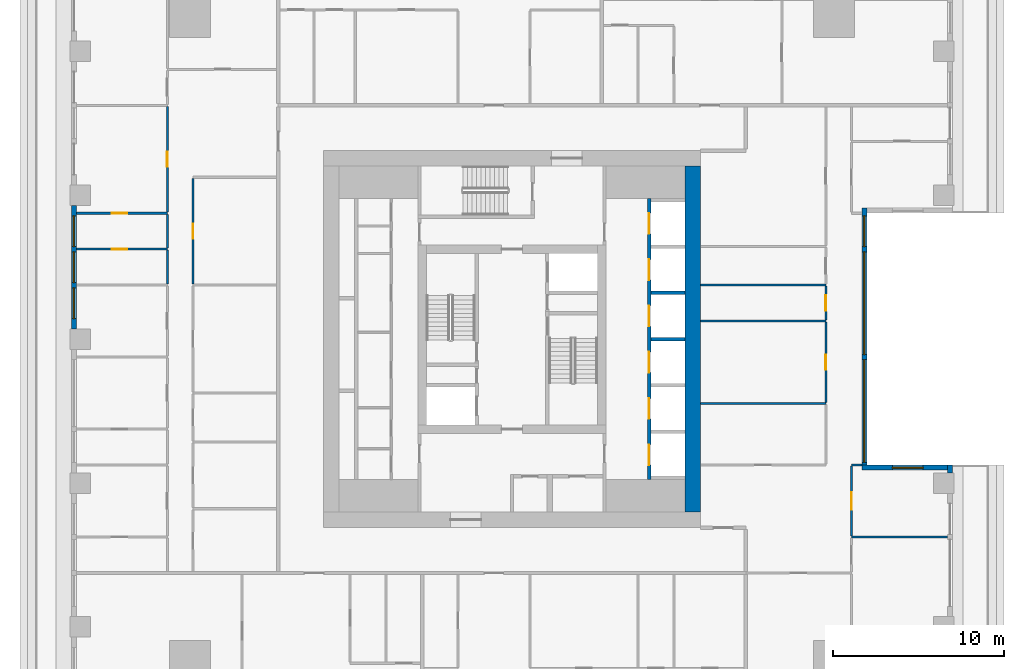
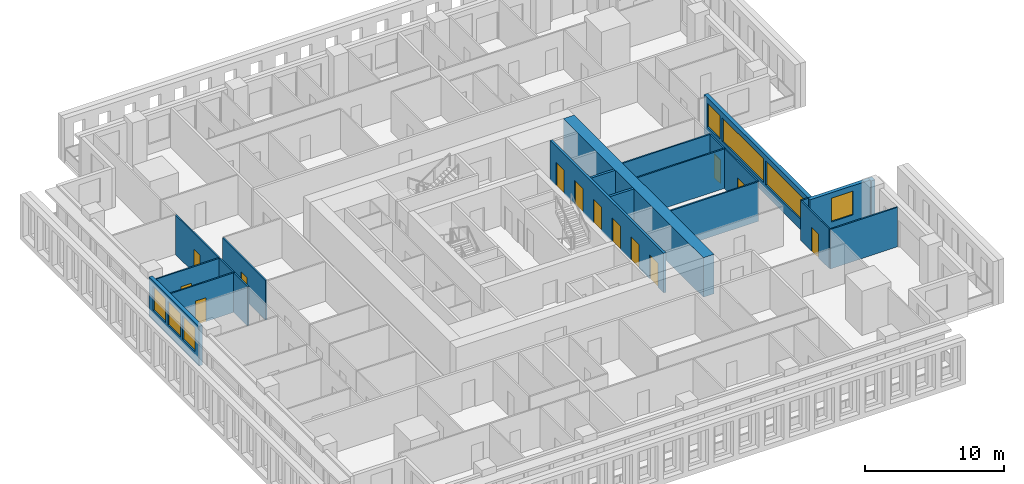
# One storey, part 6 of 16: 22 walls, 13 doors, 7 windows, 20 openings.
"""IFC4 building model written with IfcOpenShell, lengths in metres."""

import ifcopenshell
import ifcopenshell.guid

model = None  # the IFC model being written
_history = None  # IfcOwnerHistory: only IFC2X3 demands one
_inside = {}  # id of a spatial element -> (the spatial element, [elements in it])
_under = {}  # id of a project, library or spatial element -> (it, [spatial elements below it])
_declared = {}  # id of a project -> (the project, [libraries it declares])
_typed = {}  # id of a type object -> (the type object, [elements of that type])
_made_of = {}  # id of a material, layer set ... -> (it, [elements and type objects made of it])


def new_model(schema):
    """Start an empty IFC model of exactly this schema.

    Asked for "IFC4X3", IfcOpenShell would pick the latest addendum, in which some entities
    have other attributes; the version numbers below select the first issue.
    IFC2X3 requires an IfcOwnerHistory on every rooted entity: one is made here for all.
    """
    global model, _history
    if schema == "IFC4X3":
        model = ifcopenshell.file(schema_version=(4, 3, 0, 0))
    else:
        model = ifcopenshell.file(schema=schema)
    _inside.clear()
    _under.clear()
    _declared.clear()
    _typed.clear()
    _made_of.clear()
    _history = None
    if model.schema == "IFC2X3":
        org = make("IfcOrganization", Name="unknown")
        user = make(
            "IfcPersonAndOrganization",
            ThePerson=make("IfcPerson", FamilyName="unknown"),
            TheOrganization=org,
        )
        app = make(
            "IfcApplication",
            ApplicationDeveloper=org,
            Version="unknown",
            ApplicationFullName="unknown",
            ApplicationIdentifier="unknown",
        )
        _history = make(
            "IfcOwnerHistory",
            OwningUser=user,
            OwningApplication=app,
            ChangeAction="ADDED",
            CreationDate=0,
        )
    return model


def make(cls, **values):
    """One entity of the class cls with the attributes given. An attribute that is None is left unset."""
    return model.create_entity(
        cls, **{name: value for name, value in values.items() if value is not None}
    )


def rooted(cls, **values):
    """An entity with a GlobalId (a new one), such as an element, a storey or a relation."""
    return make(cls, GlobalId=ifcopenshell.guid.new(), OwnerHistory=_history, **values)


def si_unit(unit_type, name, prefix=None):
    """IfcSIUnit, for example si_unit("LENGTHUNIT", "METRE", prefix="MILLI")."""
    return make("IfcSIUnit", UnitType=unit_type, Prefix=prefix, Name=name)


def assignment(units):
    """IfcUnitAssignment: the units of a project."""
    return None if units is None else make("IfcUnitAssignment", Units=units)


def point(xyz):
    """IfcCartesianPoint."""
    return None if xyz is None else make("IfcCartesianPoint", Coordinates=xyz)


def direction(xyz):
    """IfcDirection."""
    return None if xyz is None else make("IfcDirection", DirectionRatios=xyz)


def frame(location, z_axis=None, x_axis=None):
    """IfcAxis2Placement3D, a coordinate frame: its origin and axes. An axis left out is left unset."""
    return make(
        "IfcAxis2Placement3D",
        Location=point(location),
        Axis=direction(z_axis),
        RefDirection=direction(x_axis),
    )


def frame_2d(location, x_axis=None):
    """IfcAxis2Placement2D, a coordinate frame in the plane: its origin and x axis."""
    return make(
        "IfcAxis2Placement2D", Location=point(location), RefDirection=direction(x_axis)
    )


def origin():
    """The frame at (0, 0, 0) with its axes left unset."""
    return frame((0.0, 0.0, 0.0))


def place(relative_to, where):
    """IfcLocalPlacement: puts the frame where relative to a parent placement (None: the world)."""
    return make(
        "IfcLocalPlacement", PlacementRelTo=relative_to, RelativePlacement=where
    )


def context(
    kind, dimensions, precision=None, world=None, true_north=None, identifier=None
):
    """IfcGeometricRepresentationContext, for example the 3D "Model" context."""
    return make(
        "IfcGeometricRepresentationContext",
        ContextIdentifier=identifier,
        ContextType=kind,
        CoordinateSpaceDimension=dimensions,
        Precision=precision,
        WorldCoordinateSystem=world,
        TrueNorth=true_north,
    )


def subcontext(parent, identifier, kind, view, scale=None):
    """IfcGeometricRepresentationSubContext, for example "Body" below "Model"."""
    return make(
        "IfcGeometricRepresentationSubContext",
        ContextIdentifier=identifier,
        ContextType=kind,
        ParentContext=parent,
        TargetScale=scale,
        TargetView=view,
    )


def project(units=None, contexts=None):
    """IfcProject with its units and contexts."""
    return rooted(
        "IfcProject",
        Name="project",
        RepresentationContexts=contexts,
        UnitsInContext=assignment(units),
    )


def spatial(cls, under=None, at=None, **own):
    """A site, building, storey or space (cls), placed at a placement, below another one or the project."""
    s = rooted(cls, ObjectPlacement=at, **own)
    if under is not None:
        _under.setdefault(under.id(), (under, []))[1].append(s)
    return s


def profile(cls, at=None, kind="AREA", **sizes):
    """A parametric profile (cls). Its sizes go by their IFC names, for example OverallWidth=200.0."""
    return make(cls, ProfileType=kind, Position=at, **sizes)


def rectangle(**sizes):
    """IfcRectangleProfileDef."""
    return profile("IfcRectangleProfileDef", **sizes)


def extrude(swept, where, along, depth):
    """IfcExtrudedAreaSolid: the profile swept, set in the frame where, extruded along a direction by depth."""
    return make(
        "IfcExtrudedAreaSolid",
        SweptArea=swept,
        Position=where,
        ExtrudedDirection=direction(along),
        Depth=depth,
    )


def shape(context_of_items, identifier, shape_type, items):
    """IfcShapeRepresentation: the items that make up one representation, for example the "Body"."""
    return make(
        "IfcShapeRepresentation",
        ContextOfItems=context_of_items,
        RepresentationIdentifier=identifier,
        RepresentationType=shape_type,
        Items=items,
    )


def material(Name=None, Category=None):
    """IfcMaterial."""
    return make("IfcMaterial", Name=Name, Category=Category)


def layer(
    of_material, thickness, ventilated=None, Name=None, Category=None, Priority=None
):
    """IfcMaterialLayer: one layer of a wall or slab, of a material (None: an air gap)."""
    return make(
        "IfcMaterialLayer",
        Material=of_material,
        LayerThickness=thickness,
        IsVentilated=ventilated,
        Name=Name,
        Category=Category,
        Priority=Priority,
    )


def layer_set(layers, Name=None):
    """IfcMaterialLayerSet."""
    return make("IfcMaterialLayerSet", MaterialLayers=layers, LayerSetName=Name)


def made_of(thing, what):
    """Note that an element or type object is made of a material, layer set ...; save() writes the relation."""
    if what is not None:
        _made_of.setdefault(what.id(), (what, []))[1].append(thing)
    return thing


def type_object(cls, material=None, **own):
    """A type object (cls), such as IfcWallType, which elements share."""
    return made_of(rooted(cls, **own), material)


def element(
    cls,
    number,
    at=None,
    inside=None,
    cuts=None,
    type_object=None,
    material=None,
    context=None,
    identifier="Body",
    shape_type=None,
    held_by="IfcProductDefinitionShape",
    body=None,
    shapes=None,
    **own,
):
    """One element of the class cls, such as IfcWall. Its Tag is "e" and its number.

    at: its placement. inside: the storey or other place that contains it. cuts: it is an
    opening in that element (IfcRelVoidsElement). A single representation is given by context,
    identifier, shape_type and body (its items); several are given by shapes. held_by: the class
    of the entity that holds the representations. save() writes the other relations.
    """
    e = rooted(cls, Tag="e%d" % number, ObjectPlacement=at, **own)
    if body is not None:
        shapes = [shape(context, identifier, shape_type, body)]
    if shapes is not None:
        e.Representation = make(held_by, Representations=shapes)
    if inside is not None:
        _inside.setdefault(inside.id(), (inside, []))[1].append(e)
    if cuts is not None:
        rooted(
            "IfcRelVoidsElement", RelatingBuildingElement=cuts, RelatedOpeningElement=e
        )
    if type_object is not None:
        _typed.setdefault(type_object.id(), (type_object, []))[1].append(e)
    return made_of(e, material)


def fill(opening, filler):
    """IfcRelFillsElement: the door or window that sits in an opening."""
    return rooted(
        "IfcRelFillsElement",
        RelatingOpeningElement=opening,
        RelatedBuildingElement=filler,
    )


def aggregate(whole, parts):
    """IfcRelAggregates: a whole, such as a stair, and the parts it consists of."""
    return rooted("IfcRelAggregates", RelatingObject=whole, RelatedObjects=parts)


def save(model, path):
    """Write the relations noted so far, then the file.

    IfcRelAggregates (storeys below a building ...), IfcRelContainedInSpatialStructure (elements
    in a storey), IfcRelDefinesByType, IfcRelAssociatesMaterial and IfcRelDeclares: one each for
    every whole, place, type object, material and project.
    """
    for whole, parts in _under.values():
        aggregate(whole, parts)
    for where, things in _inside.values():
        rooted(
            "IfcRelContainedInSpatialStructure",
            RelatedElements=things,
            RelatingStructure=where,
        )
    for kind, things in _typed.values():
        rooted("IfcRelDefinesByType", RelatedObjects=things, RelatingType=kind)
    for what, things in _made_of.values():
        rooted("IfcRelAssociatesMaterial", RelatedObjects=things, RelatingMaterial=what)
    for by, libraries in _declared.values():
        rooted("IfcRelDeclares", RelatingContext=by, RelatedDefinitions=libraries)
    model.write(path)


model = new_model("IFC4")

# Units and contexts
model_context = context("Model", 3, precision=1e-05, world=origin(), true_north=direction((0.0, 1.0)))
body_context = subcontext(model_context, "Body", "Model", "MODEL_VIEW")
ifc_project = project(units=[si_unit("LENGTHUNIT", "METRE"), si_unit("AREAUNIT", "SQUARE_METRE"), si_unit("VOLUMEUNIT", "CUBIC_METRE"), si_unit("PLANEANGLEUNIT", "RADIAN"), si_unit("MASSUNIT", "GRAM", prefix="KILO")], contexts=[model_context])

# Site, building, storey
site_placement = place(None, origin())
site = spatial("IfcSite", under=ifc_project, at=site_placement, CompositionType="ELEMENT")
building_placement = place(site_placement, origin())
building = spatial("IfcBuilding", under=site, at=building_placement, Name="Khepri Terraces", CompositionType="ELEMENT")
storey_placement = place(building_placement, frame((0.0, 0.0, 207.89990234375)))
storey = spatial("IfcBuildingStorey", under=building, at=storey_placement, Name="L49", CompositionType="ELEMENT", Elevation=207.89990234375)

# Wall, openings, doors
ifc_material_1 = material(Name="Concrete C50/60", Category="concrete")
ifc_layer_1 = layer(ifc_material_1, 0.199951171875, Name="Concrete C50/60", Category="concrete")
ifc_layer_set_1 = layer_set([ifc_layer_1], Name="Concrete C50/60")
wall_type_1 = type_object("IfcWallType", Name="Core wall 200 C50/60", PredefinedType="SHEAR", material=ifc_layer_set_1)
wall_1_placement = place(storey_placement, frame((8.0, -8.199951171875, 0.0), z_axis=(0.0, 0.0, 1.0), x_axis=(0.0, 1.0, 0.0)))
wall_1 = element("IfcWall", 1, at=wall_1_placement, inside=storey, type_object=wall_type_1, Name="Core wall SH02 L49", PredefinedType="SHEAR", context=body_context, shape_type="SweptSolid", body=[
    extrude(rectangle(XDim=16.39990234375, YDim=0.199951171875, at=frame_2d((8.199951171875, 0.0))), origin(), (0.0, 0.0, 1.0), 3.47998046875),
])
opening_1_placement = place(wall_1_placement, frame((0.85009765625, 0.0, 0.0)))
opening_1 = element("IfcOpeningElement", 2, at=opening_1_placement, cuts=wall_1, Name="Opening L49-C01", PredefinedType="OPENING", context=body_context, shape_type="SweptSolid", body=[
    extrude(rectangle(XDim=1.199951171875, YDim=2.10009765625, at=frame_2d((0.60009765625, 1.050048828125))), frame((0.0, 0.10986328125, 0.0), z_axis=(0.0, -1.0, 0.0), x_axis=(1.0, 0.0, 0.0)), (0.0, 0.0, 1.0), 0.219970703125),
])
opening_2_placement = place(wall_1_placement, frame((3.550048828125, 0.0, 0.0)))
opening_2 = element("IfcOpeningElement", 3, at=opening_2_placement, cuts=wall_1, Name="Opening L49-C02", PredefinedType="OPENING", context=body_context, shape_type="SweptSolid", body=[
    extrude(rectangle(XDim=1.199951171875, YDim=2.10009765625, at=frame_2d((0.60009765625, 1.050048828125))), frame((0.0, 0.10986328125, 0.0), z_axis=(0.0, -1.0, 0.0), x_axis=(1.0, 0.0, 0.0)), (0.0, 0.0, 1.0), 0.219970703125),
])
opening_3_placement = place(wall_1_placement, frame((6.25, 0.0, 0.0)))
opening_3 = element("IfcOpeningElement", 4, at=opening_3_placement, cuts=wall_1, Name="Opening L49-C03", PredefinedType="OPENING", context=body_context, shape_type="SweptSolid", body=[
    extrude(rectangle(XDim=1.199951171875, YDim=2.10009765625, at=frame_2d((0.60009765625, 1.050048828125))), frame((0.0, 0.10986328125, 0.0), z_axis=(0.0, -1.0, 0.0), x_axis=(1.0, 0.0, 0.0)), (0.0, 0.0, 1.0), 0.219970703125),
])
opening_4_placement = place(wall_1_placement, frame((8.949951171875, 0.0, 0.0)))
opening_4 = element("IfcOpeningElement", 5, at=opening_4_placement, cuts=wall_1, Name="Opening L49-C04", PredefinedType="OPENING", context=body_context, shape_type="SweptSolid", body=[
    extrude(rectangle(XDim=1.199951171875, YDim=2.10009765625, at=frame_2d((0.60009765625, 1.050048828125))), frame((0.0, 0.10986328125, 0.0), z_axis=(0.0, -1.0, 0.0), x_axis=(1.0, 0.0, 0.0)), (0.0, 0.0, 1.0), 0.219970703125),
])
opening_5_placement = place(wall_1_placement, frame((11.64990234375, 0.0, 0.0)))
opening_5 = element("IfcOpeningElement", 6, at=opening_5_placement, cuts=wall_1, Name="Opening L49-C05", PredefinedType="OPENING", context=body_context, shape_type="SweptSolid", body=[
    extrude(rectangle(XDim=1.199951171875, YDim=2.10009765625, at=frame_2d((0.60009765625, 1.050048828125))), frame((0.0, 0.10986328125, 0.0), z_axis=(0.0, -1.0, 0.0), x_axis=(1.0, 0.0, 0.0)), (0.0, 0.0, 1.0), 0.219970703125),
])
opening_6_placement = place(wall_1_placement, frame((14.35009765625, 0.0, 0.0)))
opening_6 = element("IfcOpeningElement", 7, at=opening_6_placement, cuts=wall_1, Name="Opening L49-C06", PredefinedType="OPENING", context=body_context, shape_type="SweptSolid", body=[
    extrude(rectangle(XDim=1.199951171875, YDim=2.10009765625, at=frame_2d((0.60009765625, 1.050048828125))), frame((0.0, 0.10986328125, 0.0), z_axis=(0.0, -1.0, 0.0), x_axis=(1.0, 0.0, 0.0)), (0.0, 0.0, 1.0), 0.219970703125),
])
ifc_material_2 = material(Name="Stainless steel 304", Category="steel")
door_type_1 = type_object("IfcDoorType", Name="DR-CORE-LANDING-1200", OperationType="NOTDEFINED", PredefinedType="DOOR", material=ifc_material_2)
door_1_placement = place(opening_1_placement, origin())
door_1 = element("IfcDoor", 8, at=door_1_placement, inside=storey, type_object=door_type_1, Name="Lift landing door L49-C01", OperationType="SLIDING_TO_LEFT", OverallHeight=2.10009765625, OverallWidth=1.199951171875, PredefinedType="DOOR", context=body_context, shape_type="SweptSolid", body=[
    extrude(rectangle(XDim=1.199951171875, YDim=2.10009765625, at=frame_2d((0.60009765625, 1.050048828125))), frame((0.0, 0.02490234375, 0.0), z_axis=(0.0, -1.0, 0.0), x_axis=(1.0, 0.0, 0.0)), (0.0, 0.0, 1.0), 0.050048828125),
])
fill(opening_1, door_1)
door_2_placement = place(opening_2_placement, origin())
door_2 = element("IfcDoor", 9, at=door_2_placement, inside=storey, type_object=door_type_1, Name="Lift landing door L49-C02", OperationType="SLIDING_TO_LEFT", OverallHeight=2.10009765625, OverallWidth=1.199951171875, PredefinedType="DOOR", context=body_context, shape_type="SweptSolid", body=[
    extrude(rectangle(XDim=1.199951171875, YDim=2.10009765625, at=frame_2d((0.60009765625, 1.050048828125))), frame((0.0, 0.02490234375, 0.0), z_axis=(0.0, -1.0, 0.0), x_axis=(1.0, 0.0, 0.0)), (0.0, 0.0, 1.0), 0.050048828125),
])
fill(opening_2, door_2)
door_3_placement = place(opening_3_placement, origin())
door_3 = element("IfcDoor", 10, at=door_3_placement, inside=storey, type_object=door_type_1, Name="Lift landing door L49-C03", OperationType="SLIDING_TO_LEFT", OverallHeight=2.10009765625, OverallWidth=1.199951171875, PredefinedType="DOOR", context=body_context, shape_type="SweptSolid", body=[
    extrude(rectangle(XDim=1.199951171875, YDim=2.10009765625, at=frame_2d((0.60009765625, 1.050048828125))), frame((0.0, 0.02490234375, 0.0), z_axis=(0.0, -1.0, 0.0), x_axis=(1.0, 0.0, 0.0)), (0.0, 0.0, 1.0), 0.050048828125),
])
fill(opening_3, door_3)
door_4_placement = place(opening_4_placement, origin())
door_4 = element("IfcDoor", 11, at=door_4_placement, inside=storey, type_object=door_type_1, Name="Lift landing door L49-C04", OperationType="SLIDING_TO_LEFT", OverallHeight=2.10009765625, OverallWidth=1.199951171875, PredefinedType="DOOR", context=body_context, shape_type="SweptSolid", body=[
    extrude(rectangle(XDim=1.199951171875, YDim=2.10009765625, at=frame_2d((0.60009765625, 1.050048828125))), frame((0.0, 0.02490234375, 0.0), z_axis=(0.0, -1.0, 0.0), x_axis=(1.0, 0.0, 0.0)), (0.0, 0.0, 1.0), 0.050048828125),
])
fill(opening_4, door_4)
door_5_placement = place(opening_5_placement, origin())
door_5 = element("IfcDoor", 12, at=door_5_placement, inside=storey, type_object=door_type_1, Name="Lift landing door L49-C05", OperationType="SLIDING_TO_LEFT", OverallHeight=2.10009765625, OverallWidth=1.199951171875, PredefinedType="DOOR", context=body_context, shape_type="SweptSolid", body=[
    extrude(rectangle(XDim=1.199951171875, YDim=2.10009765625, at=frame_2d((0.60009765625, 1.050048828125))), frame((0.0, 0.02490234375, 0.0), z_axis=(0.0, -1.0, 0.0), x_axis=(1.0, 0.0, 0.0)), (0.0, 0.0, 1.0), 0.050048828125),
])
fill(opening_5, door_5)
door_6_placement = place(opening_6_placement, origin())
door_6 = element("IfcDoor", 13, at=door_6_placement, inside=storey, type_object=door_type_1, Name="Lift landing door L49-C06", OperationType="SLIDING_TO_LEFT", OverallHeight=2.10009765625, OverallWidth=1.199951171875, PredefinedType="DOOR", context=body_context, shape_type="SweptSolid", body=[
    extrude(rectangle(XDim=1.199951171875, YDim=2.10009765625, at=frame_2d((0.60009765625, 1.050048828125))), frame((0.0, 0.02490234375, 0.0), z_axis=(0.0, -1.0, 0.0), x_axis=(1.0, 0.0, 0.0)), (0.0, 0.0, 1.0), 0.050048828125),
])
fill(opening_6, door_6)

# Walls
for number, where, z_axis, x_axis, name in (
    (14, (8.10009765625, 0.0, 0.0), (0.0, 0.0, 1.0), (1.0, 0.0, 0.0), "Core wall SH09 L49"),
    (15, (8.10009765625, 2.699951171875, 0.0), (0.0, 0.0, 1.0), (1.0, 0.0, 0.0), "Core wall SH13 L49"),
):
    element("IfcWall", number, at=place(storey_placement, frame(where, z_axis=z_axis, x_axis=x_axis)), inside=storey, type_object=wall_type_1, Name=name, PredefinedType="SHEAR", context=body_context, shape_type="SweptSolid", body=[
        extrude(rectangle(XDim=2.0, YDim=0.199951171875, at=frame_2d((1.0, 0.0))), origin(), (0.0, 0.0, 1.0), 3.47998046875),
    ])
ifc_layer_2 = layer(ifc_material_1, 0.89990234375, Name="Concrete C50/60", Category="concrete")
ifc_layer_set_2 = layer_set([ifc_layer_2], Name="Concrete C50/60")
wall_type_2 = type_object("IfcWallType", Name="Core wall 900 C50/60", PredefinedType="SHEAR", material=ifc_layer_set_2)
wall_2_placement = place(storey_placement, frame((10.550048828125, -10.10009765625, 0.0), z_axis=(0.0, 0.0, 1.0), x_axis=(0.0, 1.0, 0.0)))
element("IfcWall", 16, at=wall_2_placement, inside=storey, type_object=wall_type_2, Name="Core wall OW-E L49", PredefinedType="SHEAR", context=body_context, shape_type="SweptSolid", body=[
    extrude(rectangle(XDim=20.2001953125, YDim=0.89990234375, at=frame_2d((10.10009765625, 0.0))), origin(), (0.0, 0.0, 1.0), 3.47998046875),
])
ifc_material_3 = material(Name="Precast concrete C50/60 warm stone", Category="masonry")
ifc_layer_3 = layer(ifc_material_3, 0.300048828125, Name="Precast concrete C50/60 warm stone", Category="masonry")
ifc_layer_set_3 = layer_set([ifc_layer_3], Name="Precast concrete C50/60 warm stone")
wall_type_3 = type_object("IfcWallType", Name="WL-EXT-PRECAST-300", PredefinedType="STANDARD", material=ifc_layer_set_3)
wall_3_placement = place(storey_placement, frame((25.570068359375, -7.800048828125, 0.0), z_axis=(0.0, 0.0, 1.0), x_axis=(0.0, 1.0, 0.0)))
element("IfcWall", 17, at=wall_3_placement, inside=storey, type_object=wall_type_3, Name="External wall L49 E", PredefinedType="STANDARD", context=body_context, shape_type="SweptSolid", body=[
    extrude(rectangle(XDim=0.449951171875, YDim=0.300048828125, at=frame_2d((0.22509765625, 0.0))), origin(), (0.0, 0.0, 1.0), 3.47998046875),
])

# Wall, opening, window
wall_4_placement = place(storey_placement, frame((25.419921875, -7.5, 0.0), z_axis=(0.0, 0.0, 1.0), x_axis=(-1.0, 0.0, 0.0)))
wall_4 = element("IfcWall", 18, at=wall_4_placement, inside=storey, type_object=wall_type_3, Name="External wall L49 N", PredefinedType="STANDARD", context=body_context, shape_type="SweptSolid", body=[
    extrude(rectangle(XDim=5.0, YDim=0.300048828125, at=frame_2d((2.5, 0.0))), origin(), (0.0, 0.0, 1.0), 3.47998046875),
])
opening_7_placement = place(wall_4_placement, frame((1.419921875, 0.0, 0.89990234375)))
opening_7 = element("IfcOpeningElement", 19, at=opening_7_placement, cuts=wall_4, Name="Opening W1", PredefinedType="OPENING", context=body_context, shape_type="SweptSolid", body=[
    extrude(rectangle(XDim=1.800048828125, YDim=2.10009765625, at=frame_2d((0.89990234375, 1.050048828125))), frame((0.0, 0.16015625, 0.0), z_axis=(0.0, -1.0, 0.0), x_axis=(1.0, 0.0, 0.0)), (0.0, 0.0, 1.0), 0.320068359375),
])
ifc_material_4 = material(Name="Clear glass", Category="glass")
window_type_1 = type_object("IfcWindowType", Name="WIN-RES-1800x2100", PartitioningType="SINGLE_PANEL", PredefinedType="WINDOW", material=ifc_material_4)
window_1_placement = place(opening_7_placement, origin())
window_1 = element("IfcWindow", 20, at=window_1_placement, inside=storey, type_object=window_type_1, Name="Window L49 N", OverallHeight=2.10009765625, OverallWidth=1.800048828125, PartitioningType="SINGLE_PANEL", PredefinedType="WINDOW", context=body_context, shape_type="SweptSolid", body=[
    extrude(rectangle(XDim=1.800048828125, YDim=2.10009765625, at=frame_2d((0.89990234375, 1.050048828125))), frame((0.0, 0.030029296875, 0.0), z_axis=(0.0, -1.0, 0.0), x_axis=(1.0, 0.0, 0.0)), (0.0, 0.0, 1.0), 0.06005859375),
])
fill(opening_7, window_1)

# Wall, openings, windows
wall_5_placement = place(storey_placement, frame((20.570068359375, -7.35009765625, 0.0), z_axis=(0.0, 0.0, 1.0), x_axis=(0.0, 1.0, 0.0)))
wall_5 = element("IfcWall", 21, at=wall_5_placement, inside=storey, type_object=wall_type_3, Name="External wall L49 E", PredefinedType="STANDARD", context=body_context, shape_type="SweptSolid", body=[
    extrude(rectangle(XDim=15.0, YDim=0.300048828125, at=frame_2d((7.5, 0.0))), origin(), (0.0, 0.0, 1.0), 3.47998046875),
])
opening_8_placement = place(wall_5_placement, frame((0.14990234375, 0.0, 0.89990234375)))
opening_8 = element("IfcOpeningElement", 22, at=opening_8_placement, cuts=wall_5, Name="Opening W3", PredefinedType="OPENING", context=body_context, shape_type="SweptSolid", body=[
    extrude(rectangle(XDim=6.0, YDim=2.10009765625, at=frame_2d((3.0, 1.050048828125))), frame((0.0, 0.16015625, 0.0), z_axis=(0.0, -1.0, 0.0), x_axis=(1.0, 0.0, 0.0)), (0.0, 0.0, 1.0), 0.320068359375),
])
opening_9_placement = place(wall_5_placement, frame((6.449951171875, 0.0, 0.89990234375)))
opening_9 = element("IfcOpeningElement", 23, at=opening_9_placement, cuts=wall_5, Name="Opening W3", PredefinedType="OPENING", context=body_context, shape_type="SweptSolid", body=[
    extrude(rectangle(XDim=6.0, YDim=2.10009765625, at=frame_2d((3.0, 1.050048828125))), frame((0.0, 0.16015625, 0.0), z_axis=(0.0, -1.0, 0.0), x_axis=(1.0, 0.0, 0.0)), (0.0, 0.0, 1.0), 0.320068359375),
])
opening_10_placement = place(wall_5_placement, frame((12.75, 0.0, 0.89990234375)))
opening_10 = element("IfcOpeningElement", 24, at=opening_10_placement, cuts=wall_5, Name="Opening W1", PredefinedType="OPENING", context=body_context, shape_type="SweptSolid", body=[
    extrude(rectangle(XDim=1.800048828125, YDim=2.10009765625, at=frame_2d((0.89990234375, 1.050048828125))), frame((0.0, 0.16015625, 0.0), z_axis=(0.0, -1.0, 0.0), x_axis=(1.0, 0.0, 0.0)), (0.0, 0.0, 1.0), 0.320068359375),
])
window_2_placement = place(opening_10_placement, origin())
window_2 = element("IfcWindow", 25, at=window_2_placement, inside=storey, type_object=window_type_1, Name="Window L49 E", OverallHeight=2.10009765625, OverallWidth=1.800048828125, PartitioningType="SINGLE_PANEL", PredefinedType="WINDOW", context=body_context, shape_type="SweptSolid", body=[
    extrude(rectangle(XDim=1.800048828125, YDim=2.10009765625, at=frame_2d((0.89990234375, 1.050048828125))), frame((0.0, 0.030029296875, 0.0), z_axis=(0.0, -1.0, 0.0), x_axis=(1.0, 0.0, 0.0)), (0.0, 0.0, 1.0), 0.06005859375),
])
fill(opening_10, window_2)
window_type_2 = type_object("IfcWindowType", Name="WIN-RES-6000x2100", PartitioningType="SINGLE_PANEL", PredefinedType="WINDOW", material=ifc_material_4)
window_3_placement = place(opening_8_placement, origin())
window_3 = element("IfcWindow", 26, at=window_3_placement, inside=storey, type_object=window_type_2, Name="Window L49 E", OverallHeight=2.10009765625, OverallWidth=6.0, PartitioningType="SINGLE_PANEL", PredefinedType="WINDOW", context=body_context, shape_type="SweptSolid", body=[
    extrude(rectangle(XDim=6.0, YDim=2.10009765625, at=frame_2d((3.0, 1.050048828125))), frame((0.0, 0.030029296875, 0.0), z_axis=(0.0, -1.0, 0.0), x_axis=(1.0, 0.0, 0.0)), (0.0, 0.0, 1.0), 0.06005859375),
])
fill(opening_8, window_3)
window_4_placement = place(opening_9_placement, origin())
window_4 = element("IfcWindow", 27, at=window_4_placement, inside=storey, type_object=window_type_2, Name="Window L49 E", OverallHeight=2.10009765625, OverallWidth=6.0, PartitioningType="SINGLE_PANEL", PredefinedType="WINDOW", context=body_context, shape_type="SweptSolid", body=[
    extrude(rectangle(XDim=6.0, YDim=2.10009765625, at=frame_2d((3.0, 1.050048828125))), frame((0.0, 0.030029296875, 0.0), z_axis=(0.0, -1.0, 0.0), x_axis=(1.0, 0.0, 0.0)), (0.0, 0.0, 1.0), 0.06005859375),
])
fill(opening_9, window_4)

wall_6_placement = place(storey_placement, frame((-25.570068359375, 7.800048828125, 0.0), z_axis=(0.0, 0.0, 1.0), x_axis=(0.0, -1.0, 0.0)))
wall_6 = element("IfcWall", 28, at=wall_6_placement, inside=storey, type_object=wall_type_3, Name="External wall L49 W", PredefinedType="STANDARD", context=body_context, shape_type="SweptSolid", body=[
    extrude(rectangle(XDim=7.199951171875, YDim=0.300048828125, at=frame_2d((3.60009765625, 0.0))), origin(), (0.0, 0.0, 1.0), 3.47998046875),
])
opening_11_placement = place(wall_6_placement, frame((0.60009765625, 0.0, 0.89990234375)))
opening_11 = element("IfcOpeningElement", 29, at=opening_11_placement, cuts=wall_6, Name="Opening W1", PredefinedType="OPENING", context=body_context, shape_type="SweptSolid", body=[
    extrude(rectangle(XDim=1.800048828125, YDim=2.10009765625, at=frame_2d((0.89990234375, 1.050048828125))), frame((0.0, 0.16015625, 0.0), z_axis=(0.0, -1.0, 0.0), x_axis=(1.0, 0.0, 0.0)), (0.0, 0.0, 1.0), 0.320068359375),
])
opening_12_placement = place(wall_6_placement, frame((2.699951171875, 0.0, 0.89990234375)))
opening_12 = element("IfcOpeningElement", 30, at=opening_12_placement, cuts=wall_6, Name="Opening W1", PredefinedType="OPENING", context=body_context, shape_type="SweptSolid", body=[
    extrude(rectangle(XDim=1.800048828125, YDim=2.10009765625, at=frame_2d((0.89990234375, 1.050048828125))), frame((0.0, 0.16015625, 0.0), z_axis=(0.0, -1.0, 0.0), x_axis=(1.0, 0.0, 0.0)), (0.0, 0.0, 1.0), 0.320068359375),
])
opening_13_placement = place(wall_6_placement, frame((4.800048828125, 0.0, 0.89990234375)))
opening_13 = element("IfcOpeningElement", 31, at=opening_13_placement, cuts=wall_6, Name="Opening W1", PredefinedType="OPENING", context=body_context, shape_type="SweptSolid", body=[
    extrude(rectangle(XDim=1.800048828125, YDim=2.10009765625, at=frame_2d((0.89990234375, 1.050048828125))), frame((0.0, 0.16015625, 0.0), z_axis=(0.0, -1.0, 0.0), x_axis=(1.0, 0.0, 0.0)), (0.0, 0.0, 1.0), 0.320068359375),
])
window_5_placement = place(opening_11_placement, origin())
window_5 = element("IfcWindow", 32, at=window_5_placement, inside=storey, type_object=window_type_1, Name="Window L49 W", OverallHeight=2.10009765625, OverallWidth=1.800048828125, PartitioningType="SINGLE_PANEL", PredefinedType="WINDOW", context=body_context, shape_type="SweptSolid", body=[
    extrude(rectangle(XDim=1.800048828125, YDim=2.10009765625, at=frame_2d((0.89990234375, 1.050048828125))), frame((0.0, 0.030029296875, 0.0), z_axis=(0.0, -1.0, 0.0), x_axis=(1.0, 0.0, 0.0)), (0.0, 0.0, 1.0), 0.06005859375),
])
fill(opening_11, window_5)
window_6_placement = place(opening_12_placement, origin())
window_6 = element("IfcWindow", 33, at=window_6_placement, inside=storey, type_object=window_type_1, Name="Window L49 W", OverallHeight=2.10009765625, OverallWidth=1.800048828125, PartitioningType="SINGLE_PANEL", PredefinedType="WINDOW", context=body_context, shape_type="SweptSolid", body=[
    extrude(rectangle(XDim=1.800048828125, YDim=2.10009765625, at=frame_2d((0.89990234375, 1.050048828125))), frame((0.0, 0.030029296875, 0.0), z_axis=(0.0, -1.0, 0.0), x_axis=(1.0, 0.0, 0.0)), (0.0, 0.0, 1.0), 0.06005859375),
])
fill(opening_12, window_6)
window_7_placement = place(opening_13_placement, origin())
window_7 = element("IfcWindow", 34, at=window_7_placement, inside=storey, type_object=window_type_1, Name="Window L49 W", OverallHeight=2.10009765625, OverallWidth=1.800048828125, PartitioningType="SINGLE_PANEL", PredefinedType="WINDOW", context=body_context, shape_type="SweptSolid", body=[
    extrude(rectangle(XDim=1.800048828125, YDim=2.10009765625, at=frame_2d((0.89990234375, 1.050048828125))), frame((0.0, 0.030029296875, 0.0), z_axis=(0.0, -1.0, 0.0), x_axis=(1.0, 0.0, 0.0)), (0.0, 0.0, 1.0), 0.06005859375),
])
fill(opening_13, window_7)

# Wall
ifc_material_5 = material(Name="Gypsum plasterboard partition")
ifc_layer_4 = layer(ifc_material_5, 0.1201171875, Name="Gypsum plasterboard partition")
ifc_layer_set_4 = layer_set([ifc_layer_4], Name="Gypsum plasterboard partition")
wall_type_4 = type_object("IfcWallType", Name="WL-PART-120", PredefinedType="PARTITIONING", material=ifc_layer_set_4)
wall_7_placement = place(storey_placement, frame((19.820068359375, -11.550048828125, 0.0), z_axis=(0.0, 0.0, 1.0), x_axis=(1.0, 0.0, 0.0)))
element("IfcWall", 35, at=wall_7_placement, inside=storey, type_object=wall_type_4, Name="Partition P-032 L49", PredefinedType="PARTITIONING", context=body_context, shape_type="SweptSolid", body=[
    extrude(rectangle(XDim=5.599853515625, YDim=0.1201171875, at=frame_2d((2.7998046875, 0.0))), origin(), (0.0, 0.0, 1.0), 3.47998046875),
])

# Wall, opening, door
wall_8_placement = place(storey_placement, frame((19.820068359375, -11.489990234375, 0.0), z_axis=(0.0, 0.0, 1.0), x_axis=(0.0, 1.0, 0.0)))
wall_8 = element("IfcWall", 36, at=wall_8_placement, inside=storey, type_object=wall_type_4, Name="Partition P-034 L49", PredefinedType="PARTITIONING", context=body_context, shape_type="SweptSolid", body=[
    extrude(rectangle(XDim=4.080078125, YDim=0.1201171875, at=frame_2d((2.0400390625, 0.0))), origin(), (0.0, 0.0, 1.0), 3.47998046875),
])
opening_14_placement = place(wall_8_placement, frame((1.5400390625, 0.0, 0.0)))
opening_14 = element("IfcOpeningElement", 37, at=opening_14_placement, cuts=wall_8, Name="Opening D2", PredefinedType="OPENING", context=body_context, shape_type="SweptSolid", body=[
    extrude(rectangle(XDim=1.0, YDim=2.10009765625, at=frame_2d((0.5, 1.050048828125))), frame((0.0, 0.070068359375, 0.0), z_axis=(0.0, -1.0, 0.0), x_axis=(1.0, 0.0, 0.0)), (0.0, 0.0, 1.0), 0.14013671875),
])
ifc_material_6 = material(Name="Timber door leaf, living room door", Category="wood")
door_type_2 = type_object("IfcDoorType", Name="DR-INT-1000", OperationType="NOTDEFINED", PredefinedType="DOOR", material=ifc_material_6)
door_7_placement = place(opening_14_placement, frame((1.0, 0.0, 0.0), z_axis=(0.0, 0.0, 1.0), x_axis=(-1.0, 0.0, 0.0)))
door_7 = element("IfcDoor", 38, at=door_7_placement, inside=storey, type_object=door_type_2, Name="Door Sun Lounge", OperationType="SINGLE_SWING_LEFT", OverallHeight=2.10009765625, OverallWidth=1.0, PredefinedType="DOOR", context=body_context, shape_type="SweptSolid", body=[
    extrude(rectangle(XDim=1.0, YDim=2.10009765625, at=frame_2d((0.5, 1.050048828125))), frame((0.0, 0.02490234375, 0.0), z_axis=(0.0, -1.0, 0.0), x_axis=(1.0, 0.0, 0.0)), (0.0, 0.0, 1.0), 0.050048828125),
])
fill(opening_14, door_7)

# Walls
wall_9_placement = place(storey_placement, frame((19.820068359375, -7.35009765625, 0.0), z_axis=(0.0, 0.0, 1.0), x_axis=(1.0, 0.0, 0.0)))
element("IfcWall", 39, at=wall_9_placement, inside=storey, type_object=wall_type_4, Name="Partition P-040 L49", PredefinedType="PARTITIONING", context=body_context, shape_type="SweptSolid", body=[
    extrude(rectangle(XDim=0.599853515625, YDim=0.1201171875, at=frame_2d((0.2998046875, 0.0))), origin(), (0.0, 0.0, 1.0), 3.47998046875),
])
wall_10_placement = place(storey_placement, frame((11.0, -3.75, 0.0), z_axis=(0.0, 0.0, 1.0), x_axis=(1.0, 0.0, 0.0)))
element("IfcWall", 40, at=wall_10_placement, inside=storey, type_object=wall_type_4, Name="Partition P-047 L49", PredefinedType="PARTITIONING", context=body_context, shape_type="SweptSolid", body=[
    extrude(rectangle(XDim=7.320068359375, YDim=0.1201171875, at=frame_2d((3.66015625, 0.0))), origin(), (0.0, 0.0, 1.0), 3.47998046875),
])

# Wall, opening, door
wall_11_placement = place(storey_placement, frame((18.320068359375, -3.68994140625, 0.0), z_axis=(0.0, 0.0, 1.0), x_axis=(0.0, 1.0, 0.0)))
wall_11 = element("IfcWall", 41, at=wall_11_placement, inside=storey, type_object=wall_type_4, Name="Partition P-048 L49", PredefinedType="PARTITIONING", context=body_context, shape_type="SweptSolid", body=[
    extrude(rectangle(XDim=4.679931640625, YDim=0.1201171875, at=frame_2d((2.33984375, 0.0))), origin(), (0.0, 0.0, 1.0), 3.47998046875),
])
opening_15_placement = place(wall_11_placement, frame((1.889892578125, 0.0, 0.0)))
opening_15 = element("IfcOpeningElement", 42, at=opening_15_placement, cuts=wall_11, Name="Opening D3", PredefinedType="OPENING", context=body_context, shape_type="SweptSolid", body=[
    extrude(rectangle(XDim=0.89990234375, YDim=2.10009765625, at=frame_2d((0.449951171875, 1.050048828125))), frame((0.0, 0.070068359375, 0.0), z_axis=(0.0, -1.0, 0.0), x_axis=(1.0, 0.0, 0.0)), (0.0, 0.0, 1.0), 0.14013671875),
])
ifc_material_7 = material(Name="Timber door leaf", Category="wood")
door_type_3 = type_object("IfcDoorType", Name="DR-INT-900", OperationType="NOTDEFINED", PredefinedType="DOOR", material=ifc_material_7)
door_8_placement = place(opening_15_placement, origin())
door_8 = element("IfcDoor", 43, at=door_8_placement, inside=storey, type_object=door_type_3, Name="Door Staff Bedroom", OperationType="SINGLE_SWING_RIGHT", OverallHeight=2.10009765625, OverallWidth=0.89990234375, PredefinedType="DOOR", context=body_context, shape_type="SweptSolid", body=[
    extrude(rectangle(XDim=0.89990234375, YDim=2.10009765625, at=frame_2d((0.449951171875, 1.050048828125))), frame((0.0, 0.02490234375, 0.0), z_axis=(0.0, -1.0, 0.0), x_axis=(1.0, 0.0, 0.0)), (0.0, 0.0, 1.0), 0.050048828125),
])
fill(opening_15, door_8)

# Wall
wall_12_placement = place(storey_placement, frame((11.0, 1.050048828125, 0.0), z_axis=(0.0, 0.0, 1.0), x_axis=(1.0, 0.0, 0.0)))
element("IfcWall", 44, at=wall_12_placement, inside=storey, type_object=wall_type_4, Name="Partition P-053 L49", PredefinedType="PARTITIONING", context=body_context, shape_type="SweptSolid", body=[
    extrude(rectangle(XDim=7.320068359375, YDim=0.1201171875, at=frame_2d((3.66015625, 0.0))), origin(), (0.0, 0.0, 1.0), 3.47998046875),
])

# Wall, opening, door
wall_13_placement = place(storey_placement, frame((18.320068359375, 1.110107421875, 0.0), z_axis=(0.0, 0.0, 1.0), x_axis=(0.0, 1.0, 0.0)))
wall_13 = element("IfcWall", 45, at=wall_13_placement, inside=storey, type_object=wall_type_4, Name="Partition P-054 L49", PredefinedType="PARTITIONING", context=body_context, shape_type="SweptSolid", body=[
    extrude(rectangle(XDim=1.97998046875, YDim=0.1201171875, at=frame_2d((0.989990234375, 0.0))), origin(), (0.0, 0.0, 1.0), 3.47998046875),
])
opening_16_placement = place(wall_13_placement, frame((0.5400390625, 0.0, 0.0)))
opening_16 = element("IfcOpeningElement", 46, at=opening_16_placement, cuts=wall_13, Name="Opening D4", PredefinedType="OPENING", context=body_context, shape_type="SweptSolid", body=[
    extrude(rectangle(XDim=0.89990234375, YDim=2.10009765625, at=frame_2d((0.449951171875, 1.050048828125))), frame((0.0, 0.070068359375, 0.0), z_axis=(0.0, -1.0, 0.0), x_axis=(1.0, 0.0, 0.0)), (0.0, 0.0, 1.0), 0.14013671875),
])
ifc_material_8 = material(Name="Timber door leaf, moisture resistant", Category="wood")
door_type_4 = type_object("IfcDoorType", Name="DR-WET-900", OperationType="NOTDEFINED", PredefinedType="DOOR", material=ifc_material_8)
door_9_placement = place(opening_16_placement, origin())
door_9 = element("IfcDoor", 47, at=door_9_placement, inside=storey, type_object=door_type_4, Name="Door Powder Room", OperationType="SINGLE_SWING_RIGHT", OverallHeight=2.10009765625, OverallWidth=0.89990234375, PredefinedType="DOOR", context=body_context, shape_type="SweptSolid", body=[
    extrude(rectangle(XDim=0.89990234375, YDim=2.10009765625, at=frame_2d((0.449951171875, 1.050048828125))), frame((0.0, 0.02490234375, 0.0), z_axis=(0.0, -1.0, 0.0), x_axis=(1.0, 0.0, 0.0)), (0.0, 0.0, 1.0), 0.050048828125),
])
fill(opening_16, door_9)

# Walls
wall_14_placement = place(storey_placement, frame((11.0, 3.14990234375, 0.0), z_axis=(0.0, 0.0, 1.0), x_axis=(1.0, 0.0, 0.0)))
element("IfcWall", 48, at=wall_14_placement, inside=storey, type_object=wall_type_4, Name="Partition P-057 L49", PredefinedType="PARTITIONING", context=body_context, shape_type="SweptSolid", body=[
    extrude(rectangle(XDim=7.320068359375, YDim=0.1201171875, at=frame_2d((3.66015625, 0.0))), origin(), (0.0, 0.0, 1.0), 3.47998046875),
])
wall_15_placement = place(storey_placement, frame((-20.1201171875, 3.2099609375, 0.0), z_axis=(0.0, 0.0, 1.0), x_axis=(0.0, 1.0, 0.0)))
element("IfcWall", 49, at=wall_15_placement, inside=storey, type_object=wall_type_4, Name="Partition P-058 L49", PredefinedType="PARTITIONING", context=body_context, shape_type="SweptSolid", body=[
    extrude(rectangle(XDim=1.97998046875, YDim=0.1201171875, at=frame_2d((0.989990234375, 0.0))), origin(), (0.0, 0.0, 1.0), 3.47998046875),
])

# Wall, opening, door
wall_16_placement = place(storey_placement, frame((-18.6201171875, 3.2099609375, 0.0), z_axis=(0.0, 0.0, 1.0), x_axis=(0.0, 1.0, 0.0)))
wall_16 = element("IfcWall", 50, at=wall_16_placement, inside=storey, type_object=wall_type_4, Name="Partition P-059 L49", PredefinedType="PARTITIONING", context=body_context, shape_type="SweptSolid", body=[
    extrude(rectangle(XDim=6.179931640625, YDim=0.1201171875, at=frame_2d((3.08984375, 0.0))), origin(), (0.0, 0.0, 1.0), 3.47998046875),
])
opening_17_placement = place(wall_16_placement, frame((2.639892578125, 0.0, 0.0)))
opening_17 = element("IfcOpeningElement", 51, at=opening_17_placement, cuts=wall_16, Name="Opening D3", PredefinedType="OPENING", context=body_context, shape_type="SweptSolid", body=[
    extrude(rectangle(XDim=0.89990234375, YDim=2.10009765625, at=frame_2d((0.449951171875, 1.050048828125))), frame((0.0, 0.070068359375, 0.0), z_axis=(0.0, -1.0, 0.0), x_axis=(1.0, 0.0, 0.0)), (0.0, 0.0, 1.0), 0.14013671875),
])
door_10_placement = place(opening_17_placement, frame((0.89990234375, 0.0, 0.0), z_axis=(0.0, 0.0, 1.0), x_axis=(-1.0, 0.0, 0.0)))
door_10 = element("IfcDoor", 52, at=door_10_placement, inside=storey, type_object=door_type_3, Name="Door Kitchen", OperationType="SINGLE_SWING_RIGHT", OverallHeight=2.10009765625, OverallWidth=0.89990234375, PredefinedType="DOOR", context=body_context, shape_type="SweptSolid", body=[
    extrude(rectangle(XDim=0.89990234375, YDim=2.10009765625, at=frame_2d((0.449951171875, 1.050048828125))), frame((0.0, 0.02490234375, 0.0), z_axis=(0.0, -1.0, 0.0), x_axis=(1.0, 0.0, 0.0)), (0.0, 0.0, 1.0), 0.050048828125),
])
fill(opening_17, door_10)

wall_17_placement = place(storey_placement, frame((-25.419921875, 5.25, 0.0), z_axis=(0.0, 0.0, 1.0), x_axis=(1.0, 0.0, 0.0)))
wall_17 = element("IfcWall", 53, at=wall_17_placement, inside=storey, type_object=wall_type_4, Name="Partition P-061 L49", PredefinedType="PARTITIONING", context=body_context, shape_type="SweptSolid", body=[
    extrude(rectangle(XDim=5.2998046875, YDim=0.1201171875, at=frame_2d((2.64990234375, 0.0))), origin(), (0.0, 0.0, 1.0), 3.47998046875),
])
opening_18_placement = place(wall_17_placement, frame((2.050048828125, 0.0, 0.0)))
opening_18 = element("IfcOpeningElement", 54, at=opening_18_placement, cuts=wall_17, Name="Opening D4", PredefinedType="OPENING", context=body_context, shape_type="SweptSolid", body=[
    extrude(rectangle(XDim=0.89990234375, YDim=2.10009765625, at=frame_2d((0.449951171875, 1.050048828125))), frame((0.0, 0.070068359375, 0.0), z_axis=(0.0, -1.0, 0.0), x_axis=(1.0, 0.0, 0.0)), (0.0, 0.0, 1.0), 0.14013671875),
])
door_11_placement = place(opening_18_placement, frame((0.89990234375, 0.0, 0.0), z_axis=(0.0, 0.0, 1.0), x_axis=(-1.0, 0.0, 0.0)))
door_11 = element("IfcDoor", 55, at=door_11_placement, inside=storey, type_object=door_type_4, Name="Door Bathroom", OperationType="SINGLE_SWING_RIGHT", OverallHeight=2.10009765625, OverallWidth=0.89990234375, PredefinedType="DOOR", context=body_context, shape_type="SweptSolid", body=[
    extrude(rectangle(XDim=0.89990234375, YDim=2.10009765625, at=frame_2d((0.449951171875, 1.050048828125))), frame((0.0, 0.02490234375, 0.0), z_axis=(0.0, -1.0, 0.0), x_axis=(1.0, 0.0, 0.0)), (0.0, 0.0, 1.0), 0.050048828125),
])
fill(opening_18, door_11)

# Wall
wall_18_placement = place(storey_placement, frame((-20.1201171875, 5.31005859375, 0.0), z_axis=(0.0, 0.0, 1.0), x_axis=(0.0, 1.0, 0.0)))
element("IfcWall", 56, at=wall_18_placement, inside=storey, type_object=wall_type_4, Name="Partition P-062 L49", PredefinedType="PARTITIONING", context=body_context, shape_type="SweptSolid", body=[
    extrude(rectangle(XDim=1.97998046875, YDim=0.1201171875, at=frame_2d((0.989990234375, 0.0))), origin(), (0.0, 0.0, 1.0), 3.47998046875),
])

# Wall, opening, door
wall_19_placement = place(storey_placement, frame((-25.419921875, 7.35009765625, 0.0), z_axis=(0.0, 0.0, 1.0), x_axis=(1.0, 0.0, 0.0)))
wall_19 = element("IfcWall", 57, at=wall_19_placement, inside=storey, type_object=wall_type_4, Name="Partition P-065 L49", PredefinedType="PARTITIONING", context=body_context, shape_type="SweptSolid", body=[
    extrude(rectangle(XDim=5.2998046875, YDim=0.1201171875, at=frame_2d((2.64990234375, 0.0))), origin(), (0.0, 0.0, 1.0), 3.47998046875),
])
opening_19_placement = place(wall_19_placement, frame((2.050048828125, 0.0, 0.0)))
opening_19 = element("IfcOpeningElement", 58, at=opening_19_placement, cuts=wall_19, Name="Opening D3", PredefinedType="OPENING", context=body_context, shape_type="SweptSolid", body=[
    extrude(rectangle(XDim=0.89990234375, YDim=2.10009765625, at=frame_2d((0.449951171875, 1.050048828125))), frame((0.0, 0.070068359375, 0.0), z_axis=(0.0, -1.0, 0.0), x_axis=(1.0, 0.0, 0.0)), (0.0, 0.0, 1.0), 0.14013671875),
])
door_12_placement = place(opening_19_placement, frame((0.89990234375, 0.0, 0.0), z_axis=(0.0, 0.0, 1.0), x_axis=(-1.0, 0.0, 0.0)))
door_12 = element("IfcDoor", 59, at=door_12_placement, inside=storey, type_object=door_type_3, Name="Door Dressing Room", OperationType="SINGLE_SWING_RIGHT", OverallHeight=2.10009765625, OverallWidth=0.89990234375, PredefinedType="DOOR", context=body_context, shape_type="SweptSolid", body=[
    extrude(rectangle(XDim=0.89990234375, YDim=2.10009765625, at=frame_2d((0.449951171875, 1.050048828125))), frame((0.0, 0.02490234375, 0.0), z_axis=(0.0, -1.0, 0.0), x_axis=(1.0, 0.0, 0.0)), (0.0, 0.0, 1.0), 0.050048828125),
])
fill(opening_19, door_12)

wall_20_placement = place(storey_placement, frame((-20.1201171875, 7.409912109375, 0.0), z_axis=(0.0, 0.0, 1.0), x_axis=(0.0, 1.0, 0.0)))
wall_20 = element("IfcWall", 60, at=wall_20_placement, inside=storey, type_object=wall_type_4, Name="Partition P-067 L49", PredefinedType="PARTITIONING", context=body_context, shape_type="SweptSolid", body=[
    extrude(rectangle(XDim=6.18017578125, YDim=0.1201171875, at=frame_2d((3.090087890625, 0.0))), origin(), (0.0, 0.0, 1.0), 3.47998046875),
])
opening_20_placement = place(wall_20_placement, frame((2.639892578125, 0.0, 0.0)))
opening_20 = element("IfcOpeningElement", 61, at=opening_20_placement, cuts=wall_20, Name="Opening D3", PredefinedType="OPENING", context=body_context, shape_type="SweptSolid", body=[
    extrude(rectangle(XDim=0.89990234375, YDim=2.10009765625, at=frame_2d((0.449951171875, 1.050048828125))), frame((0.0, 0.070068359375, 0.0), z_axis=(0.0, -1.0, 0.0), x_axis=(1.0, 0.0, 0.0)), (0.0, 0.0, 1.0), 0.14013671875),
])
door_13_placement = place(opening_20_placement, origin())
door_13 = element("IfcDoor", 62, at=door_13_placement, inside=storey, type_object=door_type_3, Name="Door Master Bedroom", OperationType="SINGLE_SWING_RIGHT", OverallHeight=2.10009765625, OverallWidth=0.89990234375, PredefinedType="DOOR", context=body_context, shape_type="SweptSolid", body=[
    extrude(rectangle(XDim=0.89990234375, YDim=2.10009765625, at=frame_2d((0.449951171875, 1.050048828125))), frame((0.0, 0.02490234375, 0.0), z_axis=(0.0, -1.0, 0.0), x_axis=(1.0, 0.0, 0.0)), (0.0, 0.0, 1.0), 0.050048828125),
])
fill(opening_20, door_13)

save(model, "model.ifc")
